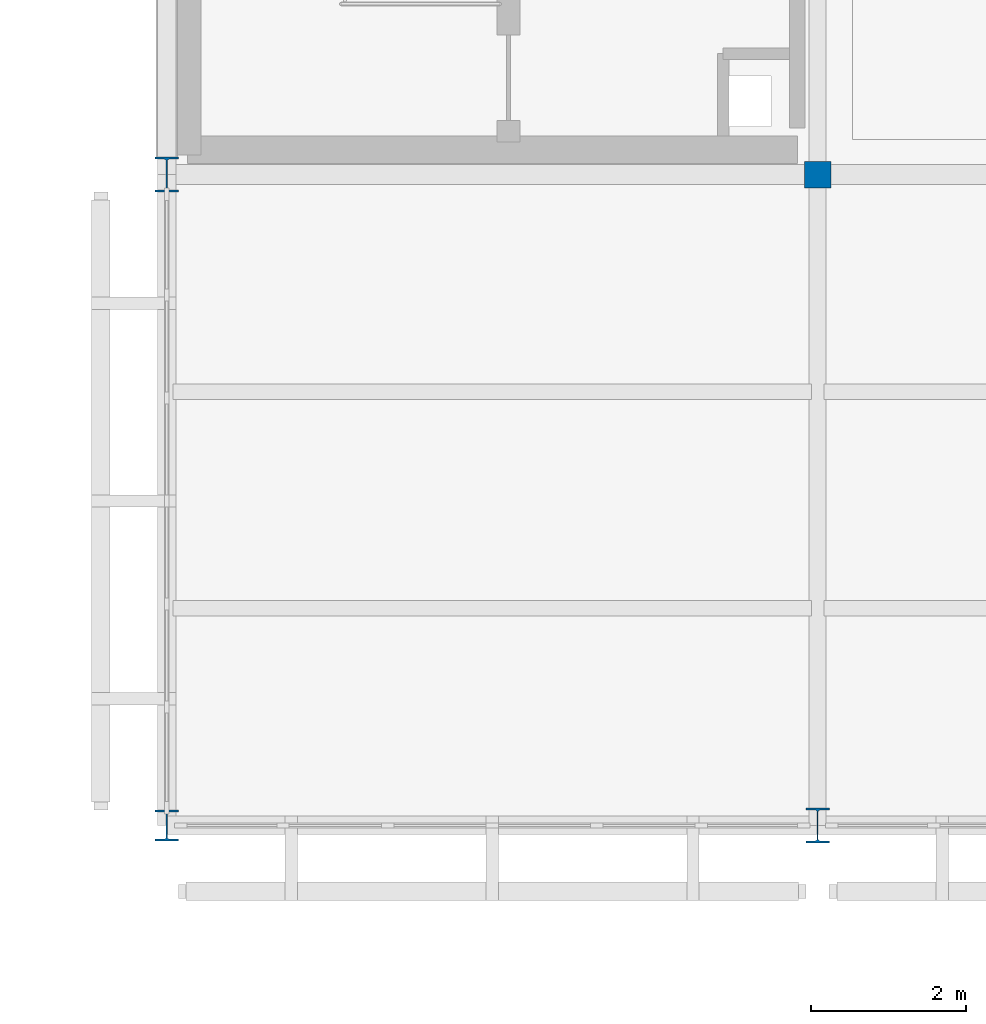
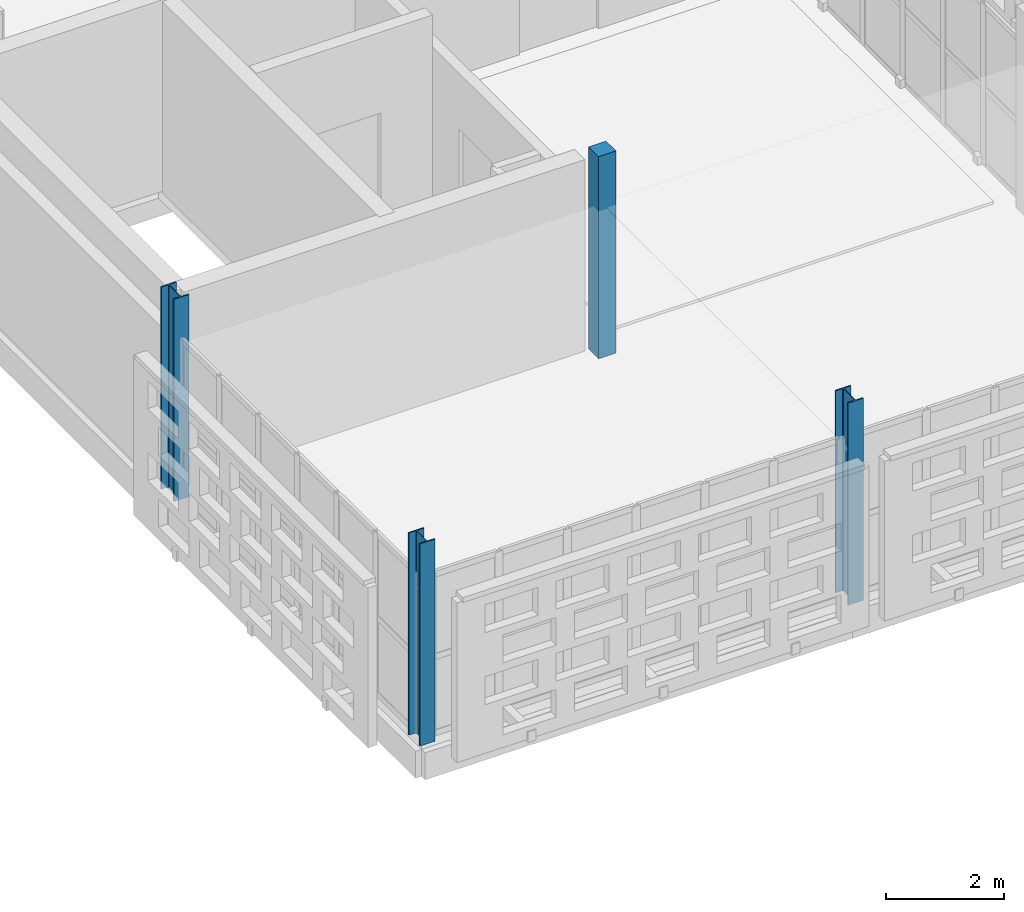
# One storey, part 2 of 140: 4 columns.
"""IFC4 building model written with IfcOpenShell, lengths in metres."""

import ifcopenshell
import ifcopenshell.guid

model = None  # the IFC model being written
_history = None  # IfcOwnerHistory: only IFC2X3 demands one
_inside = {}  # id of a spatial element -> (the spatial element, [elements in it])
_under = {}  # id of a project, library or spatial element -> (it, [spatial elements below it])
_declared = {}  # id of a project -> (the project, [libraries it declares])
_typed = {}  # id of a type object -> (the type object, [elements of that type])
_made_of = {}  # id of a material, layer set ... -> (it, [elements and type objects made of it])


def new_model(schema):
    """Start an empty IFC model of exactly this schema.

    Asked for "IFC4X3", IfcOpenShell would pick the latest addendum, in which some entities
    have other attributes; the version numbers below select the first issue.
    IFC2X3 requires an IfcOwnerHistory on every rooted entity: one is made here for all.
    """
    global model, _history
    if schema == "IFC4X3":
        model = ifcopenshell.file(schema_version=(4, 3, 0, 0))
    else:
        model = ifcopenshell.file(schema=schema)
    _inside.clear()
    _under.clear()
    _declared.clear()
    _typed.clear()
    _made_of.clear()
    _history = None
    if model.schema == "IFC2X3":
        org = make("IfcOrganization", Name="unknown")
        user = make(
            "IfcPersonAndOrganization",
            ThePerson=make("IfcPerson", FamilyName="unknown"),
            TheOrganization=org,
        )
        app = make(
            "IfcApplication",
            ApplicationDeveloper=org,
            Version="unknown",
            ApplicationFullName="unknown",
            ApplicationIdentifier="unknown",
        )
        _history = make(
            "IfcOwnerHistory",
            OwningUser=user,
            OwningApplication=app,
            ChangeAction="ADDED",
            CreationDate=0,
        )
    return model


def make(cls, **values):
    """One entity of the class cls with the attributes given. An attribute that is None is left unset."""
    return model.create_entity(
        cls, **{name: value for name, value in values.items() if value is not None}
    )


def rooted(cls, **values):
    """An entity with a GlobalId (a new one), such as an element, a storey or a relation."""
    return make(cls, GlobalId=ifcopenshell.guid.new(), OwnerHistory=_history, **values)


def si_unit(unit_type, name, prefix=None):
    """IfcSIUnit, for example si_unit("LENGTHUNIT", "METRE", prefix="MILLI")."""
    return make("IfcSIUnit", UnitType=unit_type, Prefix=prefix, Name=name)


def assignment(units):
    """IfcUnitAssignment: the units of a project."""
    return None if units is None else make("IfcUnitAssignment", Units=units)


def point(xyz):
    """IfcCartesianPoint."""
    return None if xyz is None else make("IfcCartesianPoint", Coordinates=xyz)


def direction(xyz):
    """IfcDirection."""
    return None if xyz is None else make("IfcDirection", DirectionRatios=xyz)


def frame(location, z_axis=None, x_axis=None):
    """IfcAxis2Placement3D, a coordinate frame: its origin and axes. An axis left out is left unset."""
    return make(
        "IfcAxis2Placement3D",
        Location=point(location),
        Axis=direction(z_axis),
        RefDirection=direction(x_axis),
    )


def frame_2d(location, x_axis=None):
    """IfcAxis2Placement2D, a coordinate frame in the plane: its origin and x axis."""
    return make(
        "IfcAxis2Placement2D", Location=point(location), RefDirection=direction(x_axis)
    )


def origin():
    """The frame at (0, 0, 0) with its axes left unset."""
    return frame((0.0, 0.0, 0.0))


def origin_2d():
    """The frame at (0, 0) in the plane with its x axis left unset."""
    return frame_2d((0.0, 0.0))


def place(relative_to, where):
    """IfcLocalPlacement: puts the frame where relative to a parent placement (None: the world)."""
    return make(
        "IfcLocalPlacement", PlacementRelTo=relative_to, RelativePlacement=where
    )


def context(
    kind, dimensions, precision=None, world=None, true_north=None, identifier=None
):
    """IfcGeometricRepresentationContext, for example the 3D "Model" context."""
    return make(
        "IfcGeometricRepresentationContext",
        ContextIdentifier=identifier,
        ContextType=kind,
        CoordinateSpaceDimension=dimensions,
        Precision=precision,
        WorldCoordinateSystem=world,
        TrueNorth=true_north,
    )


def subcontext(parent, identifier, kind, view, scale=None):
    """IfcGeometricRepresentationSubContext, for example "Body" below "Model"."""
    return make(
        "IfcGeometricRepresentationSubContext",
        ContextIdentifier=identifier,
        ContextType=kind,
        ParentContext=parent,
        TargetScale=scale,
        TargetView=view,
    )


def project(units=None, contexts=None):
    """IfcProject with its units and contexts."""
    return rooted(
        "IfcProject",
        Name="project",
        RepresentationContexts=contexts,
        UnitsInContext=assignment(units),
    )


def spatial(cls, under=None, at=None, **own):
    """A site, building, storey or space (cls), placed at a placement, below another one or the project."""
    s = rooted(cls, ObjectPlacement=at, **own)
    if under is not None:
        _under.setdefault(under.id(), (under, []))[1].append(s)
    return s


def profile(cls, at=None, kind="AREA", **sizes):
    """A parametric profile (cls). Its sizes go by their IFC names, for example OverallWidth=200.0."""
    return make(cls, ProfileType=kind, Position=at, **sizes)


def rectangle(**sizes):
    """IfcRectangleProfileDef."""
    return profile("IfcRectangleProfileDef", **sizes)


def i_section(**sizes):
    """IfcIShapeProfileDef."""
    return profile("IfcIShapeProfileDef", **sizes)


def extrude(swept, where, along, depth):
    """IfcExtrudedAreaSolid: the profile swept, set in the frame where, extruded along a direction by depth."""
    return make(
        "IfcExtrudedAreaSolid",
        SweptArea=swept,
        Position=where,
        ExtrudedDirection=direction(along),
        Depth=depth,
    )


def shape(context_of_items, identifier, shape_type, items):
    """IfcShapeRepresentation: the items that make up one representation, for example the "Body"."""
    return make(
        "IfcShapeRepresentation",
        ContextOfItems=context_of_items,
        RepresentationIdentifier=identifier,
        RepresentationType=shape_type,
        Items=items,
    )


def material(Name=None, Category=None):
    """IfcMaterial."""
    return make("IfcMaterial", Name=Name, Category=Category)


def material_profile(
    of_material, cross_section, Name=None, Category=None, Priority=None
):
    """IfcMaterialProfile: a cross section and its material."""
    return make(
        "IfcMaterialProfile",
        Name=Name,
        Material=of_material,
        Profile=cross_section,
        Priority=Priority,
        Category=Category,
    )


def profile_set(profiles, Name=None, composite=None):
    """IfcMaterialProfileSet."""
    return make(
        "IfcMaterialProfileSet",
        Name=Name,
        MaterialProfiles=profiles,
        CompositeProfile=composite,
    )


def made_of(thing, what):
    """Note that an element or type object is made of a material, layer set ...; save() writes the relation."""
    if what is not None:
        _made_of.setdefault(what.id(), (what, []))[1].append(thing)
    return thing


def type_object(cls, material=None, **own):
    """A type object (cls), such as IfcWallType, which elements share."""
    return made_of(rooted(cls, **own), material)


def element(
    cls,
    number,
    at=None,
    inside=None,
    cuts=None,
    type_object=None,
    material=None,
    context=None,
    identifier="Body",
    shape_type=None,
    held_by="IfcProductDefinitionShape",
    body=None,
    shapes=None,
    **own,
):
    """One element of the class cls, such as IfcWall. Its Tag is "e" and its number.

    at: its placement. inside: the storey or other place that contains it. cuts: it is an
    opening in that element (IfcRelVoidsElement). A single representation is given by context,
    identifier, shape_type and body (its items); several are given by shapes. held_by: the class
    of the entity that holds the representations. save() writes the other relations.
    """
    e = rooted(cls, Tag="e%d" % number, ObjectPlacement=at, **own)
    if body is not None:
        shapes = [shape(context, identifier, shape_type, body)]
    if shapes is not None:
        e.Representation = make(held_by, Representations=shapes)
    if inside is not None:
        _inside.setdefault(inside.id(), (inside, []))[1].append(e)
    if cuts is not None:
        rooted(
            "IfcRelVoidsElement", RelatingBuildingElement=cuts, RelatedOpeningElement=e
        )
    if type_object is not None:
        _typed.setdefault(type_object.id(), (type_object, []))[1].append(e)
    return made_of(e, material)


def aggregate(whole, parts):
    """IfcRelAggregates: a whole, such as a stair, and the parts it consists of."""
    return rooted("IfcRelAggregates", RelatingObject=whole, RelatedObjects=parts)


def save(model, path):
    """Write the relations noted so far, then the file.

    IfcRelAggregates (storeys below a building ...), IfcRelContainedInSpatialStructure (elements
    in a storey), IfcRelDefinesByType, IfcRelAssociatesMaterial and IfcRelDeclares: one each for
    every whole, place, type object, material and project.
    """
    for whole, parts in _under.values():
        aggregate(whole, parts)
    for where, things in _inside.values():
        rooted(
            "IfcRelContainedInSpatialStructure",
            RelatedElements=things,
            RelatingStructure=where,
        )
    for kind, things in _typed.values():
        rooted("IfcRelDefinesByType", RelatedObjects=things, RelatingType=kind)
    for what, things in _made_of.values():
        rooted("IfcRelAssociatesMaterial", RelatedObjects=things, RelatingMaterial=what)
    for by, libraries in _declared.values():
        rooted("IfcRelDeclares", RelatingContext=by, RelatedDefinitions=libraries)
    model.write(path)


model = new_model("IFC4")

# Units and contexts
model_context = context("Model", 3, precision=1e-05, world=origin(), true_north=direction((0.0, 1.0)))
body_context = subcontext(model_context, "Body", "Model", "MODEL_VIEW")
ifc_project = project(units=[si_unit("LENGTHUNIT", "METRE"), si_unit("AREAUNIT", "SQUARE_METRE"), si_unit("VOLUMEUNIT", "CUBIC_METRE"), si_unit("PLANEANGLEUNIT", "RADIAN"), si_unit("MASSUNIT", "GRAM", prefix="KILO")], contexts=[model_context])

# Site, building, storey
site_placement = place(None, origin())
site = spatial("IfcSite", under=ifc_project, at=site_placement, CompositionType="ELEMENT")
building_placement = place(site_placement, origin())
building = spatial("IfcBuilding", under=site, at=building_placement, Name="Varnapada Polytechnic", CompositionType="ELEMENT")
storey_placement = place(building_placement, frame((0.0, 0.0, 13.800048828125)))
storey = spatial("IfcBuildingStorey", under=building, at=storey_placement, Name="L03", CompositionType="ELEMENT", Elevation=13.800048828125)

# Columns
ifc_material_1 = material(Name="Steel S355", Category="steel")
ifc_material_profile_1 = material_profile(ifc_material_1, i_section(OverallWidth=0.300048828125, OverallDepth=0.449951171875, WebThickness=0.013916015625, FlangeThickness=0.02587890625, FilletRadius=0.027099609375, at=origin_2d()), Name="HEB 450")
ifc_profile_set_1 = profile_set([ifc_material_profile_1], Name="Steel S355")
column_type_1 = type_object("IfcColumnType", Name="Column C-07 (HEB 450)", PredefinedType="COLUMN", material=ifc_profile_set_1)
for number, where, z_axis, x_axis, name in (
    (1, (50.39990234375, 92.39990234375, 0.0), (0.0, 0.0, 1.0), (1.0, 0.0, 0.0), "L03 column 7/12"),
    (2, (58.800048828125, 84.0, 0.0), (0.0, 0.0, 1.0), (1.0, 0.0, 0.0), "L03 column 8/11"),
):
    element("IfcColumn", number, at=place(storey_placement, frame(where, z_axis=z_axis, x_axis=x_axis)), inside=storey, type_object=column_type_1, Name=name, PredefinedType="COLUMN", context=body_context, shape_type="SweptSolid", body=[
        extrude(i_section(OverallWidth=0.300048828125, OverallDepth=0.449951171875, WebThickness=0.013916015625, FlangeThickness=0.02587890625, FilletRadius=0.027099609375, at=origin_2d()), origin(), (0.0, 0.0, 1.0), 4.199951171875),
    ])
ifc_material_profile_2 = material_profile(ifc_material_1, i_section(OverallWidth=0.300048828125, OverallDepth=0.39990234375, WebThickness=0.013427734375, FlangeThickness=0.02392578125, FilletRadius=0.027099609375, at=origin_2d()), Name="HEB 400")
ifc_profile_set_2 = profile_set([ifc_material_profile_2], Name="Steel S355")
column_type_2 = type_object("IfcColumnType", Name="Column C-08 (HEB 400)", PredefinedType="COLUMN", material=ifc_profile_set_2)
column_1_placement = place(storey_placement, frame((50.39990234375, 84.0, 0.0), z_axis=(0.0, 0.0, 1.0), x_axis=(1.0, 0.0, 0.0)))
element("IfcColumn", 3, at=column_1_placement, inside=storey, type_object=column_type_2, Name="L03 column 7/11", PredefinedType="COLUMN", context=body_context, shape_type="SweptSolid", body=[
    extrude(i_section(OverallWidth=0.300048828125, OverallDepth=0.39990234375, WebThickness=0.013427734375, FlangeThickness=0.02392578125, FilletRadius=0.027099609375, at=origin_2d()), origin(), (0.0, 0.0, 1.0), 4.199951171875),
])
ifc_material_2 = material(Name="Glulam GL32h", Category="wood")
ifc_material_profile_3 = material_profile(ifc_material_2, rectangle(XDim=0.340087890625, YDim=0.340087890625, at=origin_2d()), Name="GL 340x340")
ifc_profile_set_3 = profile_set([ifc_material_profile_3], Name="Glulam GL32h")
column_type_3 = type_object("IfcColumnType", Name="Column C-27 (GL 340x340)", PredefinedType="COLUMN", material=ifc_profile_set_3)
column_2_placement = place(storey_placement, frame((58.800048828125, 92.39990234375, 0.0), z_axis=(0.0, 0.0, 1.0), x_axis=(1.0, 0.0, 0.0)))
element("IfcColumn", 4, at=column_2_placement, inside=storey, type_object=column_type_3, Name="L03 column 8/12", PredefinedType="COLUMN", context=body_context, shape_type="SweptSolid", body=[
    extrude(rectangle(XDim=0.340087890625, YDim=0.340087890625, at=origin_2d()), origin(), (0.0, 0.0, 1.0), 4.199951171875),
])

save(model, "model.ifc")
